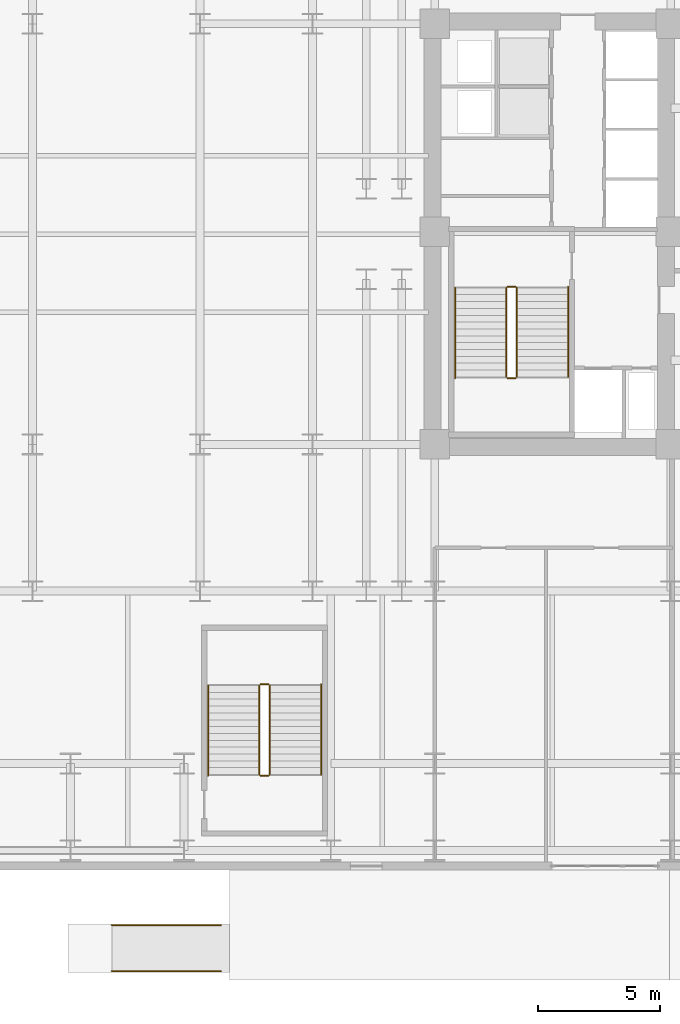
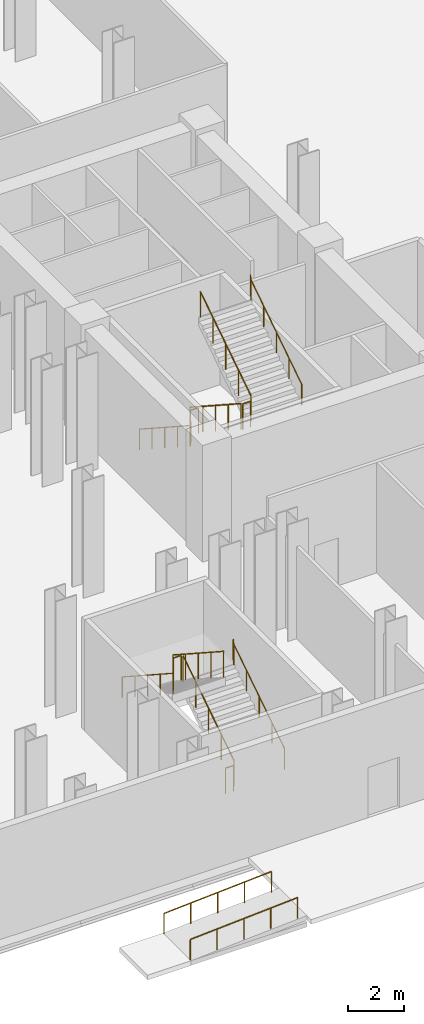
# One storey, part 16 of 21: 14 railings.
"""IFC4 building model written with IfcOpenShell, lengths in metres."""

import ifcopenshell
import ifcopenshell.guid

model = None  # the IFC model being written
_history = None  # IfcOwnerHistory: only IFC2X3 demands one
_inside = {}  # id of a spatial element -> (the spatial element, [elements in it])
_under = {}  # id of a project, library or spatial element -> (it, [spatial elements below it])
_declared = {}  # id of a project -> (the project, [libraries it declares])
_typed = {}  # id of a type object -> (the type object, [elements of that type])
_made_of = {}  # id of a material, layer set ... -> (it, [elements and type objects made of it])


def new_model(schema):
    """Start an empty IFC model of exactly this schema.

    Asked for "IFC4X3", IfcOpenShell would pick the latest addendum, in which some entities
    have other attributes; the version numbers below select the first issue.
    IFC2X3 requires an IfcOwnerHistory on every rooted entity: one is made here for all.
    """
    global model, _history
    if schema == "IFC4X3":
        model = ifcopenshell.file(schema_version=(4, 3, 0, 0))
    else:
        model = ifcopenshell.file(schema=schema)
    _inside.clear()
    _under.clear()
    _declared.clear()
    _typed.clear()
    _made_of.clear()
    _history = None
    if model.schema == "IFC2X3":
        org = make("IfcOrganization", Name="unknown")
        user = make(
            "IfcPersonAndOrganization",
            ThePerson=make("IfcPerson", FamilyName="unknown"),
            TheOrganization=org,
        )
        app = make(
            "IfcApplication",
            ApplicationDeveloper=org,
            Version="unknown",
            ApplicationFullName="unknown",
            ApplicationIdentifier="unknown",
        )
        _history = make(
            "IfcOwnerHistory",
            OwningUser=user,
            OwningApplication=app,
            ChangeAction="ADDED",
            CreationDate=0,
        )
    return model


def make(cls, **values):
    """One entity of the class cls with the attributes given. An attribute that is None is left unset."""
    return model.create_entity(
        cls, **{name: value for name, value in values.items() if value is not None}
    )


def rooted(cls, **values):
    """An entity with a GlobalId (a new one), such as an element, a storey or a relation."""
    return make(cls, GlobalId=ifcopenshell.guid.new(), OwnerHistory=_history, **values)


def si_unit(unit_type, name, prefix=None):
    """IfcSIUnit, for example si_unit("LENGTHUNIT", "METRE", prefix="MILLI")."""
    return make("IfcSIUnit", UnitType=unit_type, Prefix=prefix, Name=name)


def assignment(units):
    """IfcUnitAssignment: the units of a project."""
    return None if units is None else make("IfcUnitAssignment", Units=units)


def point(xyz):
    """IfcCartesianPoint."""
    return None if xyz is None else make("IfcCartesianPoint", Coordinates=xyz)


def direction(xyz):
    """IfcDirection."""
    return None if xyz is None else make("IfcDirection", DirectionRatios=xyz)


def frame(location, z_axis=None, x_axis=None):
    """IfcAxis2Placement3D, a coordinate frame: its origin and axes. An axis left out is left unset."""
    return make(
        "IfcAxis2Placement3D",
        Location=point(location),
        Axis=direction(z_axis),
        RefDirection=direction(x_axis),
    )


def frame_2d(location, x_axis=None):
    """IfcAxis2Placement2D, a coordinate frame in the plane: its origin and x axis."""
    return make(
        "IfcAxis2Placement2D", Location=point(location), RefDirection=direction(x_axis)
    )


def origin():
    """The frame at (0, 0, 0) with its axes left unset."""
    return frame((0.0, 0.0, 0.0))


def origin_2d():
    """The frame at (0, 0) in the plane with its x axis left unset."""
    return frame_2d((0.0, 0.0))


def place(relative_to, where):
    """IfcLocalPlacement: puts the frame where relative to a parent placement (None: the world)."""
    return make(
        "IfcLocalPlacement", PlacementRelTo=relative_to, RelativePlacement=where
    )


def context(
    kind, dimensions, precision=None, world=None, true_north=None, identifier=None
):
    """IfcGeometricRepresentationContext, for example the 3D "Model" context."""
    return make(
        "IfcGeometricRepresentationContext",
        ContextIdentifier=identifier,
        ContextType=kind,
        CoordinateSpaceDimension=dimensions,
        Precision=precision,
        WorldCoordinateSystem=world,
        TrueNorth=true_north,
    )


def subcontext(parent, identifier, kind, view, scale=None):
    """IfcGeometricRepresentationSubContext, for example "Body" below "Model"."""
    return make(
        "IfcGeometricRepresentationSubContext",
        ContextIdentifier=identifier,
        ContextType=kind,
        ParentContext=parent,
        TargetScale=scale,
        TargetView=view,
    )


def project(units=None, contexts=None):
    """IfcProject with its units and contexts."""
    return rooted(
        "IfcProject",
        Name="project",
        RepresentationContexts=contexts,
        UnitsInContext=assignment(units),
    )


def spatial(cls, under=None, at=None, **own):
    """A site, building, storey or space (cls), placed at a placement, below another one or the project."""
    s = rooted(cls, ObjectPlacement=at, **own)
    if under is not None:
        _under.setdefault(under.id(), (under, []))[1].append(s)
    return s


def profile(cls, at=None, kind="AREA", **sizes):
    """A parametric profile (cls). Its sizes go by their IFC names, for example OverallWidth=200.0."""
    return make(cls, ProfileType=kind, Position=at, **sizes)


def circle(**sizes):
    """IfcCircleProfileDef."""
    return profile("IfcCircleProfileDef", **sizes)


def extrude(swept, where, along, depth):
    """IfcExtrudedAreaSolid: the profile swept, set in the frame where, extruded along a direction by depth."""
    return make(
        "IfcExtrudedAreaSolid",
        SweptArea=swept,
        Position=where,
        ExtrudedDirection=direction(along),
        Depth=depth,
    )


def shape(context_of_items, identifier, shape_type, items):
    """IfcShapeRepresentation: the items that make up one representation, for example the "Body"."""
    return make(
        "IfcShapeRepresentation",
        ContextOfItems=context_of_items,
        RepresentationIdentifier=identifier,
        RepresentationType=shape_type,
        Items=items,
    )


def material(Name=None, Category=None):
    """IfcMaterial."""
    return make("IfcMaterial", Name=Name, Category=Category)


def made_of(thing, what):
    """Note that an element or type object is made of a material, layer set ...; save() writes the relation."""
    if what is not None:
        _made_of.setdefault(what.id(), (what, []))[1].append(thing)
    return thing


def type_object(cls, material=None, **own):
    """A type object (cls), such as IfcWallType, which elements share."""
    return made_of(rooted(cls, **own), material)


def element(
    cls,
    number,
    at=None,
    inside=None,
    cuts=None,
    type_object=None,
    material=None,
    context=None,
    identifier="Body",
    shape_type=None,
    held_by="IfcProductDefinitionShape",
    body=None,
    shapes=None,
    **own,
):
    """One element of the class cls, such as IfcWall. Its Tag is "e" and its number.

    at: its placement. inside: the storey or other place that contains it. cuts: it is an
    opening in that element (IfcRelVoidsElement). A single representation is given by context,
    identifier, shape_type and body (its items); several are given by shapes. held_by: the class
    of the entity that holds the representations. save() writes the other relations.
    """
    e = rooted(cls, Tag="e%d" % number, ObjectPlacement=at, **own)
    if body is not None:
        shapes = [shape(context, identifier, shape_type, body)]
    if shapes is not None:
        e.Representation = make(held_by, Representations=shapes)
    if inside is not None:
        _inside.setdefault(inside.id(), (inside, []))[1].append(e)
    if cuts is not None:
        rooted(
            "IfcRelVoidsElement", RelatingBuildingElement=cuts, RelatedOpeningElement=e
        )
    if type_object is not None:
        _typed.setdefault(type_object.id(), (type_object, []))[1].append(e)
    return made_of(e, material)


def aggregate(whole, parts):
    """IfcRelAggregates: a whole, such as a stair, and the parts it consists of."""
    return rooted("IfcRelAggregates", RelatingObject=whole, RelatedObjects=parts)


def save(model, path):
    """Write the relations noted so far, then the file.

    IfcRelAggregates (storeys below a building ...), IfcRelContainedInSpatialStructure (elements
    in a storey), IfcRelDefinesByType, IfcRelAssociatesMaterial and IfcRelDeclares: one each for
    every whole, place, type object, material and project.
    """
    for whole, parts in _under.values():
        aggregate(whole, parts)
    for where, things in _inside.values():
        rooted(
            "IfcRelContainedInSpatialStructure",
            RelatedElements=things,
            RelatingStructure=where,
        )
    for kind, things in _typed.values():
        rooted("IfcRelDefinesByType", RelatedObjects=things, RelatingType=kind)
    for what, things in _made_of.values():
        rooted("IfcRelAssociatesMaterial", RelatedObjects=things, RelatingMaterial=what)
    for by, libraries in _declared.values():
        rooted("IfcRelDeclares", RelatingContext=by, RelatedDefinitions=libraries)
    model.write(path)


model = new_model("IFC4")

# Units and contexts
model_context = context("Model", 3, precision=1e-05, world=origin(), true_north=direction((0.0, 1.0)))
body_context = subcontext(model_context, "Body", "Model", "MODEL_VIEW")
ifc_project = project(units=[si_unit("LENGTHUNIT", "METRE"), si_unit("AREAUNIT", "SQUARE_METRE"), si_unit("VOLUMEUNIT", "CUBIC_METRE"), si_unit("PLANEANGLEUNIT", "RADIAN"), si_unit("MASSUNIT", "GRAM", prefix="KILO")], contexts=[model_context])

# Site, building, storey
site_placement = place(None, origin())
site = spatial("IfcSite", under=ifc_project, at=site_placement, CompositionType="ELEMENT")
building_placement = place(site_placement, origin())
building = spatial("IfcBuilding", under=site, at=building_placement, Name="Velakula Bourse", CompositionType="ELEMENT")
storey_placement = place(building_placement, origin())
storey = spatial("IfcBuildingStorey", under=building, at=storey_placement, Name="L00", CompositionType="ELEMENT", Elevation=0.0)

# Railings
ifc_material = material(Name="Brushed grade 316 stainless steel", Category="steel")
railing_type_1 = type_object("IfcRailingType", Name="RLG-STAIR-GUARD-1150", PredefinedType="BALUSTRADE", material=ifc_material)
railing_1_placement = place(storey_placement, frame((-15.672119140625, -2.199951171875, 0.18212890625)))
element("IfcRailing", 1, at=railing_1_placement, inside=storey, type_object=railing_type_1, Name="L00 ST-W1 stair guard 1", PredefinedType="BALUSTRADE", context=body_context, shape_type="SweptSolid", body=[
    extrude(circle(Radius=0.02490234375, at=origin_2d()), frame((0.0, 0.0, 1.125), z_axis=(0.0, -0.83825089185, 0.545284735081), x_axis=(1.0, 0.0, 0.0)), (0.0, 0.0, 1.0), 4.342529296875),
    extrude(circle(Radius=0.02099609375, at=origin_2d()), origin(), (0.0, 0.0, 1.0), 1.099853515625),
    extrude(circle(Radius=0.02099609375, at=origin_2d()), frame((0.0, -0.91015625, 0.592041015625)), (0.0, 0.0, 1.0), 1.099853515625),
    extrude(circle(Radius=0.02099609375, at=origin_2d()), frame((0.0, -1.820068359375, 1.18408203125)), (0.0, 0.0, 1.0), 1.099853515625),
    extrude(circle(Radius=0.02099609375, at=origin_2d()), frame((0.0, -2.72998046875, 1.77587890625)), (0.0, 0.0, 1.0), 1.099853515625),
    extrude(circle(Radius=0.02099609375, at=origin_2d()), frame((0.0, -3.64013671875, 2.367919921875)), (0.0, 0.0, 1.0), 1.099853515625),
])
railing_2_placement = place(storey_placement, frame((-15.6220703125, -5.889892578125, 2.550048828125)))
element("IfcRailing", 2, at=railing_2_placement, inside=storey, type_object=railing_type_1, Name="L00 ST-W1 stair guard 2", PredefinedType="BALUSTRADE", context=body_context, shape_type="SweptSolid", body=[
    extrude(circle(Radius=0.02490234375, at=origin_2d()), frame((0.0, 0.0, 1.125), z_axis=(1.0, 0.0, 0.0), x_axis=(0.0, 1.0, 0.0)), (0.0, 0.0, 1.0), 0.323974609375),
    extrude(circle(Radius=0.02099609375, at=origin_2d()), origin(), (0.0, 0.0, 1.0), 1.099853515625),
    extrude(circle(Radius=0.02099609375, at=origin_2d()), frame((0.323974609375, 0.0, 0.0)), (0.0, 0.0, 1.0), 1.099853515625),
])
railing_3_placement = place(storey_placement, frame((-15.248046875, -5.840087890625, 2.732177734375)))
element("IfcRailing", 3, at=railing_3_placement, inside=storey, type_object=railing_type_1, Name="L00 ST-W1 stair guard 3", PredefinedType="BALUSTRADE", context=body_context, shape_type="SweptSolid", body=[
    extrude(circle(Radius=0.02490234375, at=origin_2d()), frame((0.0, 0.0, 1.125), z_axis=(0.0, 0.83825089185, 0.545284735081), x_axis=(-1.0, 0.0, 0.0)), (0.0, 0.0, 1.0), 4.342529296875),
    extrude(circle(Radius=0.02099609375, at=origin_2d()), origin(), (0.0, 0.0, 1.0), 1.099853515625),
    extrude(circle(Radius=0.02099609375, at=origin_2d()), frame((0.0, 0.91015625, 0.592041015625)), (0.0, 0.0, 1.0), 1.099853515625),
    extrude(circle(Radius=0.02099609375, at=origin_2d()), frame((0.0, 1.820068359375, 1.18408203125)), (0.0, 0.0, 1.0), 1.099853515625),
    extrude(circle(Radius=0.02099609375, at=origin_2d()), frame((0.0, 2.72998046875, 1.77587890625)), (0.0, 0.0, 1.0), 1.099853515625),
    extrude(circle(Radius=0.02099609375, at=origin_2d()), frame((0.0, 3.64013671875, 2.367919921875)), (0.0, 0.0, 1.0), 1.099853515625),
])
railing_4_placement = place(storey_placement, frame((-15.6220703125, -2.14990234375, 0.0)))
element("IfcRailing", 4, at=railing_4_placement, inside=storey, type_object=railing_type_1, Name="L00 ST-W1 stair guard 4", PredefinedType="BALUSTRADE", context=body_context, shape_type="SweptSolid", body=[
    extrude(circle(Radius=0.02490234375, at=origin_2d()), frame((0.0, 0.0, 1.125), z_axis=(1.0, 0.0, 0.0), x_axis=(0.0, 1.0, 0.0)), (0.0, 0.0, 1.0), 0.323974609375),
    extrude(circle(Radius=0.02099609375, at=origin_2d()), origin(), (0.0, 0.0, 1.0), 1.099853515625),
    extrude(circle(Radius=0.02099609375, at=origin_2d()), frame((0.323974609375, 0.0, 0.0)), (0.0, 0.0, 1.0), 1.099853515625),
])
railing_5_placement = place(storey_placement, frame((-25.347900390625, -22.10009765625, 0.18212890625)))
element("IfcRailing", 5, at=railing_5_placement, inside=storey, type_object=railing_type_1, Name="L00 ST-P1 stair guard 1", PredefinedType="BALUSTRADE", context=body_context, shape_type="SweptSolid", body=[
    extrude(circle(Radius=0.02490234375, at=origin_2d()), frame((0.0, 0.0, 1.125), z_axis=(0.0, 0.83825089185, 0.545284735081), x_axis=(-1.0, 0.0, 0.0)), (0.0, 0.0, 1.0), 4.342529296875),
    extrude(circle(Radius=0.02099609375, at=origin_2d()), origin(), (0.0, 0.0, 1.0), 1.099853515625),
    extrude(circle(Radius=0.02099609375, at=origin_2d()), frame((0.0, 0.91015625, 0.592041015625)), (0.0, 0.0, 1.0), 1.099853515625),
    extrude(circle(Radius=0.02099609375, at=origin_2d()), frame((0.0, 1.820068359375, 1.18408203125)), (0.0, 0.0, 1.0), 1.099853515625),
    extrude(circle(Radius=0.02099609375, at=origin_2d()), frame((0.0, 2.72998046875, 1.77587890625)), (0.0, 0.0, 1.0), 1.099853515625),
    extrude(circle(Radius=0.02099609375, at=origin_2d()), frame((0.0, 3.64013671875, 2.367919921875)), (0.0, 0.0, 1.0), 1.099853515625),
])
railing_6_placement = place(storey_placement, frame((-25.39794921875, -18.409912109375, 2.550048828125)))
element("IfcRailing", 6, at=railing_6_placement, inside=storey, type_object=railing_type_1, Name="L00 ST-P1 stair guard 2", PredefinedType="BALUSTRADE", context=body_context, shape_type="SweptSolid", body=[
    extrude(circle(Radius=0.02490234375, at=origin_2d()), frame((0.0, 0.0, 1.125), z_axis=(-1.0, 0.0, 0.0), x_axis=(0.0, -1.0, 0.0)), (0.0, 0.0, 1.0), 0.323974609375),
    extrude(circle(Radius=0.02099609375, at=origin_2d()), origin(), (0.0, 0.0, 1.0), 1.099853515625),
    extrude(circle(Radius=0.02099609375, at=origin_2d()), frame((-0.323974609375, 0.0, 0.0)), (0.0, 0.0, 1.0), 1.099853515625),
])
railing_7_placement = place(storey_placement, frame((-25.77197265625, -18.4599609375, 2.732177734375)))
element("IfcRailing", 7, at=railing_7_placement, inside=storey, type_object=railing_type_1, Name="L00 ST-P1 stair guard 3", PredefinedType="BALUSTRADE", context=body_context, shape_type="SweptSolid", body=[
    extrude(circle(Radius=0.02490234375, at=origin_2d()), frame((0.0, 0.0, 1.125), z_axis=(0.0, -0.83825089185, 0.545284735081), x_axis=(1.0, 0.0, 0.0)), (0.0, 0.0, 1.0), 4.342529296875),
    extrude(circle(Radius=0.02099609375, at=origin_2d()), origin(), (0.0, 0.0, 1.0), 1.099853515625),
    extrude(circle(Radius=0.02099609375, at=origin_2d()), frame((0.0, -0.91015625, 0.592041015625)), (0.0, 0.0, 1.0), 1.099853515625),
    extrude(circle(Radius=0.02099609375, at=origin_2d()), frame((0.0, -1.820068359375, 1.18408203125)), (0.0, 0.0, 1.0), 1.099853515625),
    extrude(circle(Radius=0.02099609375, at=origin_2d()), frame((0.0, -2.72998046875, 1.77587890625)), (0.0, 0.0, 1.0), 1.099853515625),
    extrude(circle(Radius=0.02099609375, at=origin_2d()), frame((0.0, -3.64013671875, 2.367919921875)), (0.0, 0.0, 1.0), 1.099853515625),
])
railing_8_placement = place(storey_placement, frame((-25.39794921875, -22.14990234375, 0.0)))
element("IfcRailing", 8, at=railing_8_placement, inside=storey, type_object=railing_type_1, Name="L00 ST-P1 stair guard 4", PredefinedType="BALUSTRADE", context=body_context, shape_type="SweptSolid", body=[
    extrude(circle(Radius=0.02490234375, at=origin_2d()), frame((0.0, 0.0, 1.125), z_axis=(-1.0, 0.0, 0.0), x_axis=(0.0, -1.0, 0.0)), (0.0, 0.0, 1.0), 0.323974609375),
    extrude(circle(Radius=0.02099609375, at=origin_2d()), origin(), (0.0, 0.0, 1.0), 1.099853515625),
    extrude(circle(Radius=0.02099609375, at=origin_2d()), frame((-0.323974609375, 0.0, 0.0)), (0.0, 0.0, 1.0), 1.099853515625),
])
railing_type_2 = type_object("IfcRailingType", Name="RLG-STAIR-HAND-920", PredefinedType="HANDRAIL", material=ifc_material)
railing_9_placement = place(storey_placement, frame((-17.77001953125, -2.199951171875, 0.18212890625)))
element("IfcRailing", 9, at=railing_9_placement, inside=storey, type_object=railing_type_2, Name="L00 ST-W1 stair handrail 1", PredefinedType="HANDRAIL", context=body_context, shape_type="SweptSolid", body=[
    extrude(circle(Radius=0.02099609375, at=origin_2d()), frame((0.0, 0.0, 0.89892578125), z_axis=(0.0, -0.83825089185, 0.545284735081), x_axis=(1.0, 0.0, 0.0)), (0.0, 0.0, 1.0), 4.342529296875),
    extrude(circle(Radius=0.02099609375, at=origin_2d()), frame((0.0, -3.64013671875, 3.266845703125), z_axis=(0.0, -0.213462538514, 0.976951249885), x_axis=(1.0, 0.0, 0.0)), (0.0, 0.0, 1.0), 0.1865234375),
    extrude(circle(Radius=0.02099609375, at=origin_2d()), frame((0.0, -3.679931640625, 3.448974609375), z_axis=(0.0, -1.0, 0.0), x_axis=(1.0, 0.0, 0.0)), (0.0, 0.0, 1.0), 0.005126953125),
    extrude(circle(Radius=0.02099609375, at=origin_2d()), origin(), (0.0, 0.0, 1.0), 0.8779296875),
    extrude(circle(Radius=0.02099609375, at=origin_2d()), frame((0.0, -0.91015625, 0.592041015625)), (0.0, 0.0, 1.0), 0.8779296875),
    extrude(circle(Radius=0.02099609375, at=origin_2d()), frame((0.0, -1.820068359375, 1.18408203125)), (0.0, 0.0, 1.0), 0.8779296875),
    extrude(circle(Radius=0.02099609375, at=origin_2d()), frame((0.0, -2.72998046875, 1.77587890625)), (0.0, 0.0, 1.0), 0.8779296875),
    extrude(circle(Radius=0.02099609375, at=origin_2d()), frame((0.0, -3.64013671875, 2.367919921875)), (0.0, 0.0, 1.0), 0.8779296875),
    extrude(circle(Radius=0.02099609375, at=origin_2d()), frame((0.0, -3.679931640625, 2.550048828125)), (0.0, 0.0, 1.0), 0.8779296875),
    extrude(circle(Radius=0.02099609375, at=origin_2d()), frame((0.0, -3.68505859375, 2.550048828125)), (0.0, 0.0, 1.0), 0.8779296875),
])
for number, where, name in (
    (10, (-13.14990234375, -5.840087890625, 2.732177734375), "L00 ST-W1 stair handrail 2"),
    (11, (-23.25, -22.10009765625, 0.18212890625), "L00 ST-P1 stair handrail 1"),
):
    element("IfcRailing", number, at=place(storey_placement, frame(where)), inside=storey, type_object=railing_type_2, Name=name, PredefinedType="HANDRAIL", context=body_context, shape_type="SweptSolid", body=[
        extrude(circle(Radius=0.02099609375, at=origin_2d()), frame((0.0, 0.0, 0.89892578125), z_axis=(0.0, 0.83825089185, 0.545284735081), x_axis=(-1.0, 0.0, 0.0)), (0.0, 0.0, 1.0), 4.342529296875),
        extrude(circle(Radius=0.02099609375, at=origin_2d()), frame((0.0, 3.64013671875, 3.266845703125), z_axis=(0.0, 0.214711926762, 0.976677422953), x_axis=(-1.0, 0.0, 0.0)), (0.0, 0.0, 1.0), 0.1865234375),
        extrude(circle(Radius=0.02099609375, at=origin_2d()), frame((0.0, 3.68017578125, 3.448974609375), z_axis=(0.0, 1.0, 0.0), x_axis=(-1.0, 0.0, 0.0)), (0.0, 0.0, 1.0), 0.0048828125),
        extrude(circle(Radius=0.02099609375, at=origin_2d()), origin(), (0.0, 0.0, 1.0), 0.8779296875),
        extrude(circle(Radius=0.02099609375, at=origin_2d()), frame((0.0, 0.91015625, 0.592041015625)), (0.0, 0.0, 1.0), 0.8779296875),
        extrude(circle(Radius=0.02099609375, at=origin_2d()), frame((0.0, 1.820068359375, 1.18408203125)), (0.0, 0.0, 1.0), 0.8779296875),
        extrude(circle(Radius=0.02099609375, at=origin_2d()), frame((0.0, 2.72998046875, 1.77587890625)), (0.0, 0.0, 1.0), 0.8779296875),
        extrude(circle(Radius=0.02099609375, at=origin_2d()), frame((0.0, 3.64013671875, 2.367919921875)), (0.0, 0.0, 1.0), 0.8779296875),
        extrude(circle(Radius=0.02099609375, at=origin_2d()), frame((0.0, 3.68017578125, 2.550048828125)), (0.0, 0.0, 1.0), 0.8779296875),
        extrude(circle(Radius=0.02099609375, at=origin_2d()), frame((0.0, 3.68505859375, 2.550048828125)), (0.0, 0.0, 1.0), 0.8779296875),
    ])
railing_10_placement = place(storey_placement, frame((-27.8701171875, -18.4599609375, 2.732177734375)))
element("IfcRailing", 12, at=railing_10_placement, inside=storey, type_object=railing_type_2, Name="L00 ST-P1 stair handrail 2", PredefinedType="HANDRAIL", context=body_context, shape_type="SweptSolid", body=[
    extrude(circle(Radius=0.02099609375, at=origin_2d()), frame((0.0, 0.0, 0.89892578125), z_axis=(0.0, -0.83825089185, 0.545284735081), x_axis=(1.0, 0.0, 0.0)), (0.0, 0.0, 1.0), 4.342529296875),
    extrude(circle(Radius=0.02099609375, at=origin_2d()), frame((0.0, -3.64013671875, 3.266845703125), z_axis=(0.0, -0.213462538514, 0.976951249885), x_axis=(1.0, 0.0, 0.0)), (0.0, 0.0, 1.0), 0.1865234375),
    extrude(circle(Radius=0.02099609375, at=origin_2d()), frame((0.0, -3.679931640625, 3.448974609375), z_axis=(0.0, -1.0, 0.0), x_axis=(1.0, 0.0, 0.0)), (0.0, 0.0, 1.0), 0.005126953125),
    extrude(circle(Radius=0.02099609375, at=origin_2d()), origin(), (0.0, 0.0, 1.0), 0.8779296875),
    extrude(circle(Radius=0.02099609375, at=origin_2d()), frame((0.0, -0.91015625, 0.592041015625)), (0.0, 0.0, 1.0), 0.8779296875),
    extrude(circle(Radius=0.02099609375, at=origin_2d()), frame((0.0, -1.820068359375, 1.18408203125)), (0.0, 0.0, 1.0), 0.8779296875),
    extrude(circle(Radius=0.02099609375, at=origin_2d()), frame((0.0, -2.72998046875, 1.77587890625)), (0.0, 0.0, 1.0), 0.8779296875),
    extrude(circle(Radius=0.02099609375, at=origin_2d()), frame((0.0, -3.64013671875, 2.367919921875)), (0.0, 0.0, 1.0), 0.8779296875),
    extrude(circle(Radius=0.02099609375, at=origin_2d()), frame((0.0, -3.679931640625, 2.550048828125)), (0.0, 0.0, 1.0), 0.8779296875),
    extrude(circle(Radius=0.02099609375, at=origin_2d()), frame((0.0, -3.68505859375, 2.550048828125)), (0.0, 0.0, 1.0), 0.8779296875),
])
for number, where, name in (
    (13, (-31.800048828125, -30.139892578125, -0.300048828125), "South-West Station Flood-Threshold Ramp Handrail 1"),
    (14, (-31.800048828125, -28.260009765625, -0.300048828125), "South-West Station Flood-Threshold Ramp Handrail 2"),
):
    element("IfcRailing", number, at=place(storey_placement, frame(where)), inside=storey, type_object=railing_type_2, Name=name, PredefinedType="HANDRAIL", context=body_context, shape_type="SweptSolid", body=[
        extrude(circle(Radius=0.02392578125, at=origin_2d()), frame((0.0, 0.0, 0.89599609375), z_axis=(0.998053217616, 0.0, 0.06236805919), x_axis=(0.0, 1.0, 0.0)), (0.0, 0.0, 1.0), 4.458740234375),
        extrude(circle(Radius=0.02099609375, at=origin_2d()), origin(), (0.0, 0.0, 1.0), 0.871826171875),
        extrude(circle(Radius=0.02099609375, at=origin_2d()), frame((1.112548828125, 0.0, 0.069580078125)), (0.0, 0.0, 1.0), 0.871826171875),
        extrude(circle(Radius=0.02099609375, at=origin_2d()), frame((2.22509765625, 0.0, 0.13916015625)), (0.0, 0.0, 1.0), 0.871826171875),
        extrude(circle(Radius=0.02099609375, at=origin_2d()), frame((3.33740234375, 0.0, 0.20849609375)), (0.0, 0.0, 1.0), 0.871826171875),
        extrude(circle(Radius=0.02099609375, at=origin_2d()), frame((4.449951171875, 0.0, 0.278076171875)), (0.0, 0.0, 1.0), 0.871826171875),
    ])

save(model, "model.ifc")
